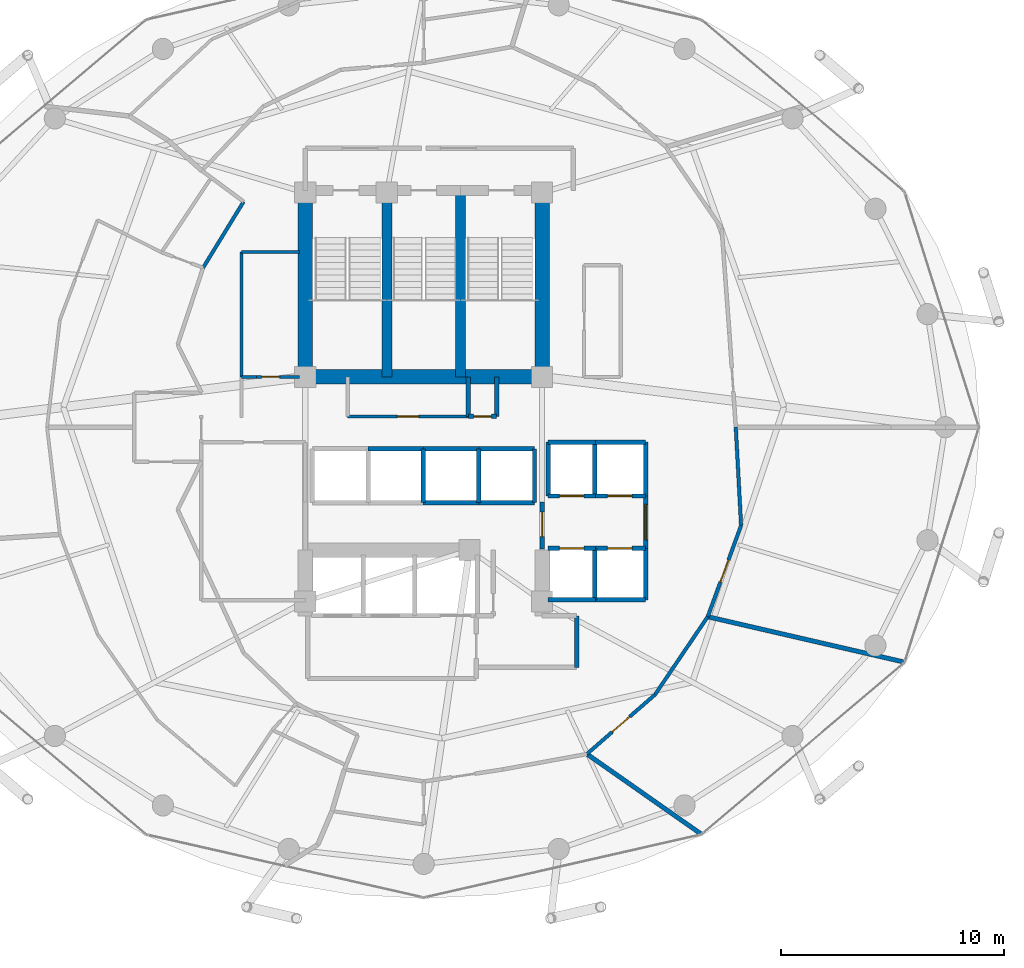
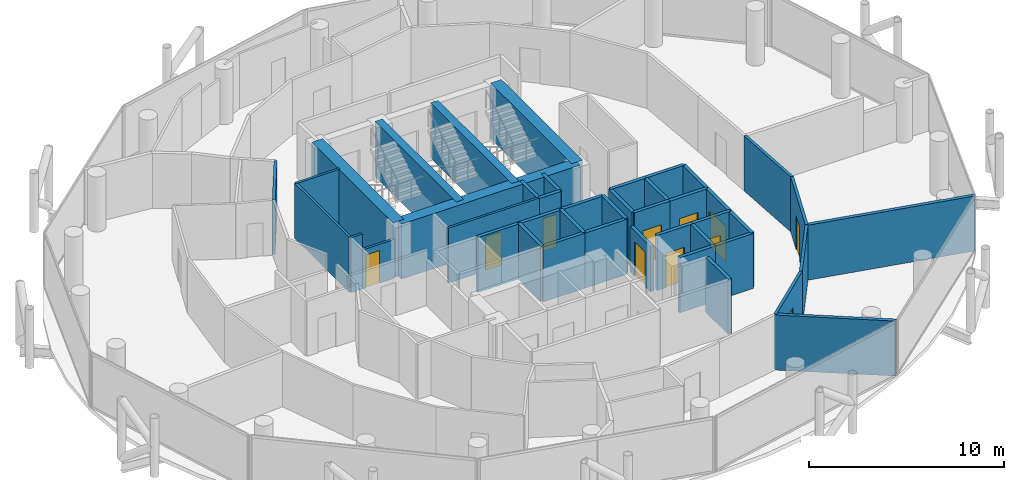
# One storey, part 23 of 26: 44 walls, 11 doors, 11 openings.
"""IFC4 building model written with IfcOpenShell, lengths in metres."""

from ifc_helpers import new_model, si_unit, direction, frame, frame_2d, origin, place, context, subcontext, project, spatial, rectangle, extrude, material, layer, layer_set, type_object, element, fill, save


model = new_model("IFC4")

# Units and contexts
model_context = context("Model", 3, precision=1e-05, world=origin(), true_north=direction((0.0, 1.0)))
body_context = subcontext(model_context, "Body", "Model", "MODEL_VIEW")
ifc_project = project(units=[si_unit("LENGTHUNIT", "METRE"), si_unit("AREAUNIT", "SQUARE_METRE"), si_unit("VOLUMEUNIT", "CUBIC_METRE"), si_unit("PLANEANGLEUNIT", "RADIAN"), si_unit("MASSUNIT", "GRAM", prefix="KILO")], contexts=[model_context])

# Site, building, storey
site_placement = place(None, origin())
site = spatial("IfcSite", under=ifc_project, at=site_placement, CompositionType="ELEMENT")
building_placement = place(site_placement, origin())
building = spatial("IfcBuilding", under=site, at=building_placement, Name="Nuhasar Tower", CompositionType="ELEMENT")
storey_placement = place(building_placement, frame((0.0, 0.0, 155.25)))
storey = spatial("IfcBuildingStorey", under=building, at=storey_placement, Name="L37", CompositionType="ELEMENT", Elevation=155.25)

# Walls
ifc_material_1 = material(Name="Concrete C50/60", Category="concrete")
ifc_layer_1 = layer(ifc_material_1, 0.449951171875)
ifc_layer_set_1 = layer_set([ifc_layer_1], Name="Concrete C50/60")
wall_type_1 = type_object("IfcWallType", Name="WL-CORE-450", PredefinedType="SHEAR", material=ifc_layer_set_1)
for number, where, z_axis, x_axis, name in (
    (1, (37.35009765625, 29.050048828125, 0.0), (0.0, 0.0, 1.0), (0.0, 1.0, 0.0), "L37 Stairwell Shear Wall ST01-E"),
    (2, (40.64990234375, 29.050048828125, 0.0), (0.0, 0.0, 1.0), (0.0, 1.0, 0.0), "L37 Stairwell Shear Wall ST03-E"),
):
    element("IfcWall", number, at=place(storey_placement, frame(where, z_axis=z_axis, x_axis=x_axis)), inside=storey, type_object=wall_type_1, Name=name, PredefinedType="SHEAR", context=body_context, shape_type="SweptSolid", body=[
        extrude(rectangle(XDim=8.349853515625, YDim=0.449951171875, at=frame_2d((4.1748046875, 0.0))), origin(), (0.0, 0.0, 1.0), 3.449951171875),
    ])
ifc_material_2 = material(Name="Concrete C65/80", Category="concrete")
ifc_layer_2 = layer(ifc_material_2, 0.64990234375)
ifc_layer_set_2 = layer_set([ifc_layer_2], Name="Concrete C65/80")
wall_type_2 = type_object("IfcWallType", Name="WL-CORE-650", PredefinedType="SHEAR", material=ifc_layer_set_2)
for number, where, z_axis, x_axis, name in (
    (3, (33.699951171875, 29.050048828125, 0.0), (0.0, 0.0, 1.0), (0.0, 1.0, 0.0), "L37 Core Shear Wall CW-NW CW-650"),
    (4, (44.300048828125, 29.050048828125, 0.0), (0.0, 0.0, 1.0), (0.0, 1.0, 0.0), "L37 Core Shear Wall CW-NE CW-650"),
):
    element("IfcWall", number, at=place(storey_placement, frame(where, z_axis=z_axis, x_axis=x_axis)), inside=storey, type_object=wall_type_2, Name=name, PredefinedType="SHEAR", context=body_context, shape_type="SweptSolid", body=[
        extrude(rectangle(XDim=8.349853515625, YDim=0.64990234375, at=frame_2d((4.1748046875, 0.0))), origin(), (0.0, 0.0, 1.0), 3.449951171875),
    ])
wall_1_placement = place(storey_placement, frame((33.699951171875, 29.050048828125, 0.0), z_axis=(0.0, 0.0, 1.0), x_axis=(1.0, 0.0, 0.0)))
element("IfcWall", 5, at=wall_1_placement, inside=storey, type_object=wall_type_2, Name="L37 Core Shear Wall CW-N1 CW-650", PredefinedType="SHEAR", context=body_context, shape_type="SweptSolid", body=[
    extrude(rectangle(XDim=10.60009765625, YDim=0.64990234375, at=frame_2d((5.300048828125, 0.0))), origin(), (0.0, 0.0, 1.0), 3.449951171875),
])

# Wall, opening, door
ifc_material_3 = material(Name="Gypsum Board", Category="gypsum")
ifc_layer_3 = layer(ifc_material_3, 0.159912109375)
ifc_layer_set_3 = layer_set([ifc_layer_3], Name="Gypsum Board")
wall_type_3 = type_object("IfcWallType", Name="WL-CORR-160", PredefinedType="PARTITIONING", material=ifc_layer_set_3)
wall_2_placement = place(storey_placement, frame((49.35595703125, 14.8291015625, 0.0), z_axis=(0.0, 0.0, 1.0), x_axis=(-0.753648555006, -0.657277609186, 0.0)))
wall_2 = element("IfcWall", 6, at=wall_2_placement, inside=storey, type_object=wall_type_3, Name="L37 Interior Partition CORR-40", PredefinedType="PARTITIONING", context=body_context, shape_type="SweptSolid", body=[
    extrude(rectangle(XDim=4.045654296875, YDim=0.159912109375, at=frame_2d((2.02294921875, 0.0))), origin(), (0.0, 0.0, 1.0), 3.449951171875),
])
opening_1_placement = place(wall_2_placement, frame((1.498046875, 0.0, 0.0)))
opening_1 = element("IfcOpeningElement", 7, at=opening_1_placement, cuts=wall_2, Name="Opening DU-01", PredefinedType="OPENING", context=body_context, shape_type="SweptSolid", body=[
    extrude(rectangle(XDim=1.050048828125, YDim=2.14990234375, at=frame_2d((0.52490234375, 1.074951171875))), frame((0.0, 0.08984375, 0.0), z_axis=(0.0, -1.0, 0.0), x_axis=(1.0, 0.0, 0.0)), (0.0, 0.0, 1.0), 0.179931640625),
])
ifc_material_4 = material(Name="Timber Oak", Category="wood")
door_type_1 = type_object("IfcDoorType", Name="DR-SUITE-FD60-1050", OperationType="NOTDEFINED", PredefinedType="DOOR", material=ifc_material_4)
door_1_placement = place(opening_1_placement, origin())
door_1 = element("IfcDoor", 8, at=door_1_placement, inside=storey, type_object=door_type_1, Name="L37 Longevity Spa Treatment Clinic 1 Entrance Door", OperationType="SINGLE_SWING_LEFT", OverallHeight=2.14990234375, OverallWidth=1.050048828125, PredefinedType="DOOR", context=body_context, shape_type="SweptSolid", body=[
    extrude(rectangle(XDim=1.050048828125, YDim=2.14990234375, at=frame_2d((0.52490234375, 1.074951171875))), frame((0.0, 0.02490234375, 0.0), z_axis=(0.0, -1.0, 0.0), x_axis=(1.0, 0.0, 0.0)), (0.0, 0.0, 1.0), 0.050048828125),
])
fill(opening_1, door_1)

# Wall
wall_3_placement = place(storey_placement, frame((49.35595703125, 14.8291015625, 0.0), z_axis=(0.0, 0.0, 1.0), x_axis=(0.560323414083, 0.828273910992, 0.0)))
element("IfcWall", 9, at=wall_3_placement, inside=storey, type_object=wall_type_3, Name="L37 Interior Partition CORR-42", PredefinedType="PARTITIONING", context=body_context, shape_type="SweptSolid", body=[
    extrude(rectangle(XDim=4.20849609375, YDim=0.159912109375, at=frame_2d((2.104248046875, 0.0))), origin(), (0.0, 0.0, 1.0), 3.449951171875),
])

# Wall, opening, door
wall_4_placement = place(storey_placement, frame((53.2080078125, 22.39892578125, 0.0), z_axis=(0.0, 0.0, 1.0), x_axis=(-0.343532016379, -0.939140965842, 0.0)))
wall_4 = element("IfcWall", 10, at=wall_4_placement, inside=storey, type_object=wall_type_3, Name="L37 Interior Partition CORR-44", PredefinedType="PARTITIONING", context=body_context, shape_type="SweptSolid", body=[
    extrude(rectangle(XDim=4.3486328125, YDim=0.159912109375, at=frame_2d((2.17431640625, 0.0))), origin(), (0.0, 0.0, 1.0), 3.449951171875),
])
opening_2_placement = place(wall_4_placement, frame((1.64892578125, 0.0, 0.0)))
opening_2 = element("IfcOpeningElement", 11, at=opening_2_placement, cuts=wall_4, Name="Opening DU-01", PredefinedType="OPENING", context=body_context, shape_type="SweptSolid", body=[
    extrude(rectangle(XDim=1.050048828125, YDim=2.14990234375, at=frame_2d((0.52490234375, 1.074951171875))), frame((0.0, 0.08984375, 0.0), z_axis=(0.0, -1.0, 0.0), x_axis=(1.0, 0.0, 0.0)), (0.0, 0.0, 1.0), 0.179931640625),
])
door_2_placement = place(opening_2_placement, origin())
door_2 = element("IfcDoor", 12, at=door_2_placement, inside=storey, type_object=door_type_1, Name="L37 Hydrotherapy Consult Clinic 2 Entrance Door", OperationType="SINGLE_SWING_LEFT", OverallHeight=2.14990234375, OverallWidth=1.050048828125, PredefinedType="DOOR", context=body_context, shape_type="SweptSolid", body=[
    extrude(rectangle(XDim=1.050048828125, YDim=2.14990234375, at=frame_2d((0.52490234375, 1.074951171875))), frame((0.0, 0.02490234375, 0.0), z_axis=(0.0, -1.0, 0.0), x_axis=(1.0, 0.0, 0.0)), (0.0, 0.0, 1.0), 0.050048828125),
])
fill(opening_2, door_2)

# Walls
wall_5_placement = place(storey_placement, frame((53.2080078125, 22.39892578125, 0.0), z_axis=(0.0, 0.0, 1.0), x_axis=(-0.054006604754, 0.998540578366, 0.0)))
element("IfcWall", 13, at=wall_5_placement, inside=storey, type_object=wall_type_3, Name="L37 Interior Partition CORR-46", PredefinedType="PARTITIONING", context=body_context, shape_type="SweptSolid", body=[
    extrude(rectangle(XDim=4.407470703125, YDim=0.159912109375, at=frame_2d((2.20361328125, 0.0))), origin(), (0.0, 0.0, 1.0), 3.449951171875),
])
wall_6_placement = place(storey_placement, frame((30.93896484375, 36.89697265625, 0.0), z_axis=(0.0, 0.0, 1.0), x_axis=(-0.522486120877, -0.852647789823, 0.0)))
element("IfcWall", 14, at=wall_6_placement, inside=storey, type_object=wall_type_3, Name="L37 Interior Partition HWEST-CORE-N-18", PredefinedType="PARTITIONING", context=body_context, shape_type="SweptSolid", body=[
    extrude(rectangle(XDim=3.468017578125, YDim=0.159912109375, at=frame_2d((1.73388671875, 0.0))), origin(), (0.0, 0.0, 1.0), 3.449951171875),
])

# Wall, opening, door
ifc_material_5 = material(Name="Concrete C45/55", Category="concrete")
ifc_layer_4 = layer(ifc_material_5, 0.199951171875)
ifc_layer_set_4 = layer_set([ifc_layer_4], Name="Concrete C45/55")
wall_type_4 = type_object("IfcWallType", Name="WL-LOBBY-200", PredefinedType="SOLIDWALL", material=ifc_layer_set_4)
wall_7_placement = place(storey_placement, frame((48.929931640625, 21.3798828125, 0.0), z_axis=(0.0, 0.0, 1.0), x_axis=(0.0, 1.0, 0.0)))
wall_7 = element("IfcWall", 15, at=wall_7_placement, inside=storey, type_object=wall_type_4, Name="L37 Interior Partition LLBM-E", PredefinedType="SOLIDWALL", context=body_context, shape_type="SweptSolid", body=[
    extrude(rectangle(XDim=2.340087890625, YDim=0.199951171875, at=frame_2d((1.169921875, 0.0))), origin(), (0.0, 0.0, 1.0), 3.449951171875),
])
opening_3_placement = place(wall_7_placement, frame((0.3701171875, 0.0, 0.0)))
opening_3 = element("IfcOpeningElement", 16, at=opening_3_placement, cuts=wall_7, Name="Opening DC-01", PredefinedType="OPENING", context=body_context, shape_type="SweptSolid", body=[
    extrude(rectangle(XDim=1.60009765625, YDim=2.199951171875, at=frame_2d((0.800048828125, 1.10009765625))), frame((0.0, 0.10986328125, 0.0), z_axis=(0.0, -1.0, 0.0), x_axis=(1.0, 0.0, 0.0)), (0.0, 0.0, 1.0), 0.219970703125),
])
ifc_material_6 = material(Name="Steel S355", Category="steel")
door_type_2 = type_object("IfcDoorType", Name="DR-CORR-FD60-1600", OperationType="DOUBLE_DOOR_SINGLE_SWING", PredefinedType="DOOR", material=ifc_material_6)
door_3_placement = place(opening_3_placement, origin())
door_3 = element("IfcDoor", 17, at=door_3_placement, inside=storey, type_object=door_type_2, Name="L37 Mid-Rise Lift Lobby East Entry", OperationType="DOUBLE_DOOR_SINGLE_SWING", OverallHeight=2.199951171875, OverallWidth=1.60009765625, PredefinedType="DOOR", context=body_context, shape_type="SweptSolid", body=[
    extrude(rectangle(XDim=1.60009765625, YDim=2.199951171875, at=frame_2d((0.800048828125, 1.10009765625))), frame((0.0, 0.02490234375, 0.0), z_axis=(0.0, -1.0, 0.0), x_axis=(1.0, 0.0, 0.0)), (0.0, 0.0, 1.0), 0.050048828125),
])
fill(opening_3, door_3)

wall_8_placement = place(storey_placement, frame((44.300048828125, 21.35009765625, 0.0), z_axis=(0.0, 0.0, 1.0), x_axis=(0.0, 1.0, 0.0)))
wall_8 = element("IfcWall", 18, at=wall_8_placement, inside=storey, type_object=wall_type_4, Name="L37 Interior Partition LLBH-E", PredefinedType="SOLIDWALL", context=body_context, shape_type="SweptSolid", body=[
    extrude(rectangle(XDim=2.099853515625, YDim=0.199951171875, at=frame_2d((1.0498046875, 0.0))), origin(), (0.0, 0.0, 1.0), 2.8349609375),
])
opening_4_placement = place(wall_8_placement, frame((0.550048828125, 0.0, 0.0)))
opening_4 = element("IfcOpeningElement", 19, at=opening_4_placement, cuts=wall_8, Name="Opening DS-02", PredefinedType="OPENING", context=body_context, shape_type="SweptSolid", body=[
    extrude(rectangle(XDim=1.10009765625, YDim=2.14990234375, at=frame_2d((0.550048828125, 1.074951171875))), frame((0.0, 0.10986328125, 0.0), z_axis=(0.0, -1.0, 0.0), x_axis=(1.0, 0.0, 0.0)), (0.0, 0.0, 1.0), 0.219970703125),
])
door_type_3 = type_object("IfcDoorType", Name="DR-FFL-FD120-1100", OperationType="NOTDEFINED", PredefinedType="DOOR", material=ifc_material_6)
door_4_placement = place(opening_4_placement, origin())
door_4 = element("IfcDoor", 20, at=door_4_placement, inside=storey, type_object=door_type_3, Name="L37 High-Rise Lobby East Door", OperationType="SINGLE_SWING_RIGHT", OverallHeight=2.14990234375, OverallWidth=1.10009765625, PredefinedType="DOOR", context=body_context, shape_type="SweptSolid", body=[
    extrude(rectangle(XDim=1.10009765625, YDim=2.14990234375, at=frame_2d((0.550048828125, 1.074951171875))), frame((0.0, 0.02490234375, 0.0), z_axis=(0.0, -1.0, 0.0), x_axis=(1.0, 0.0, 0.0)), (0.0, 0.0, 1.0), 0.050048828125),
])
fill(opening_4, door_4)

# Walls
wall_9_placement = place(storey_placement, frame((45.85009765625, 16.050048828125, 0.0), z_axis=(0.0, 0.0, 1.0), x_axis=(0.0, 1.0, 0.0)))
element("IfcWall", 21, at=wall_9_placement, inside=storey, type_object=wall_type_4, Name="L37 Interior Partition SVLV-E", PredefinedType="SOLIDWALL", context=body_context, shape_type="SweptSolid", body=[
    extrude(rectangle(XDim=2.300048828125, YDim=0.199951171875, at=frame_2d((1.14990234375, 0.0))), origin(), (0.0, 0.0, 1.0), 3.449951171875),
])
ifc_layer_5 = layer(ifc_material_5, 0.199951171875)
ifc_layer_set_5 = layer_set([ifc_layer_5], Name="Concrete C45/55")
wall_type_5 = type_object("IfcWallType", Name="WL-SHAFT-200", PredefinedType="SOLIDWALL", material=ifc_layer_set_5)
for number, where, z_axis, x_axis, name in (
    (22, (41.0, 27.280029296875, 0.0), (0.0, 0.0, 1.0), (0.0, 1.0, 0.0), "L37 Interior Partition RSRN-W"),
    (23, (42.260009765625, 27.280029296875, 0.0), (0.0, 0.0, 1.0), (0.0, 1.0, 0.0), "L37 Interior Partition RSRN-E"),
):
    element("IfcWall", number, at=place(storey_placement, frame(where, z_axis=z_axis, x_axis=x_axis)), inside=storey, type_object=wall_type_5, Name=name, PredefinedType="SOLIDWALL", context=body_context, shape_type="SweptSolid", body=[
        extrude(rectangle(XDim=1.77001953125, YDim=0.199951171875, at=frame_2d((0.885009765625, 0.0))), origin(), (0.0, 0.0, 1.0), 3.449951171875),
    ])

# Wall, opening, door
wall_10_placement = place(storey_placement, frame((41.0, 27.280029296875, 0.0), z_axis=(0.0, 0.0, 1.0), x_axis=(1.0, 0.0, 0.0)))
wall_10 = element("IfcWall", 24, at=wall_10_placement, inside=storey, type_object=wall_type_5, Name="L37 Interior Partition RSRN-S", PredefinedType="SOLIDWALL", context=body_context, shape_type="SweptSolid", body=[
    extrude(rectangle(XDim=1.260009765625, YDim=0.199951171875, at=frame_2d((0.6298828125, 0.0))), origin(), (0.0, 0.0, 1.0), 3.449951171875),
])
opening_5_placement = place(wall_10_placement, frame((0.22998046875, 0.0, 0.0)))
opening_5 = element("IfcOpeningElement", 25, at=opening_5_placement, cuts=wall_10, Name="Opening DM-01", PredefinedType="OPENING", context=body_context, shape_type="SweptSolid", body=[
    extrude(rectangle(XDim=0.800048828125, YDim=2.050048828125, at=frame_2d((0.39990234375, 1.02490234375))), frame((0.0, 0.10986328125, 0.0), z_axis=(0.0, -1.0, 0.0), x_axis=(1.0, 0.0, 0.0)), (0.0, 0.0, 1.0), 0.219970703125),
])
door_type_4 = type_object("IfcDoorType", Name="DR-RISER-FD60-800", OperationType="NOTDEFINED", PredefinedType="DOOR", material=ifc_material_6)
door_5_placement = place(opening_5_placement, origin())
door_5 = element("IfcDoor", 26, at=door_5_placement, inside=storey, type_object=door_type_4, Name="L37 North Smoke Riser Door", OperationType="SINGLE_SWING_RIGHT", OverallHeight=2.050048828125, OverallWidth=0.800048828125, PredefinedType="DOOR", context=body_context, shape_type="SweptSolid", body=[
    extrude(rectangle(XDim=0.800048828125, YDim=2.050048828125, at=frame_2d((0.39990234375, 1.02490234375))), frame((0.0, 0.02490234375, 0.0), z_axis=(0.0, -1.0, 0.0), x_axis=(1.0, 0.0, 0.0)), (0.0, 0.0, 1.0), 0.050048828125),
])
fill(opening_5, door_5)

wall_11_placement = place(storey_placement, frame((44.570068359375, 23.719970703125, 0.0), z_axis=(0.0, 0.0, 1.0), x_axis=(1.0, 0.0, 0.0)))
wall_11 = element("IfcWall", 27, at=wall_11_placement, inside=storey, type_object=wall_type_5, Name="L37 Interior Partition SHF-PL-M01-S", PredefinedType="SOLIDWALL", context=body_context, shape_type="SweptSolid", body=[
    extrude(rectangle(XDim=2.10986328125, YDim=0.199951171875, at=frame_2d((1.054931640625, 0.0))), origin(), (0.0, 0.0, 1.0), 3.449951171875),
])
opening_6_placement = place(wall_11_placement, frame((0.5048828125, 0.0, 0.0)))
opening_6 = element("IfcOpeningElement", 28, at=opening_6_placement, cuts=wall_11, Name="Opening LD-M01", PredefinedType="OPENING", context=body_context, shape_type="SweptSolid", body=[
    extrude(rectangle(XDim=1.10009765625, YDim=2.14990234375, at=frame_2d((0.550048828125, 1.074951171875))), frame((0.0, 0.10986328125, 0.0), z_axis=(0.0, -1.0, 0.0), x_axis=(1.0, 0.0, 0.0)), (0.0, 0.0, 1.0), 0.219970703125),
])
ifc_material_7 = material(Name="Stainless Steel 316L", Category="steel")
door_type_5 = type_object("IfcDoorType", Name="LD-PAX-1100", OperationType="DOUBLE_DOOR_SLIDING", PredefinedType="DOOR", material=ifc_material_7)
door_6_placement = place(opening_6_placement, origin())
door_6 = element("IfcDoor", 29, at=door_6_placement, inside=storey, type_object=door_type_5, Name="L37 Lift Landing Door PL-M01", OperationType="DOUBLE_DOOR_SLIDING", OverallHeight=2.14990234375, OverallWidth=1.10009765625, PredefinedType="DOOR", context=body_context, shape_type="SweptSolid", body=[
    extrude(rectangle(XDim=1.10009765625, YDim=2.14990234375, at=frame_2d((0.550048828125, 1.074951171875))), frame((0.0, 0.02490234375, 0.0), z_axis=(0.0, -1.0, 0.0), x_axis=(1.0, 0.0, 0.0)), (0.0, 0.0, 1.0), 0.050048828125),
])
fill(opening_6, door_6)

# Walls
wall_12_placement = place(storey_placement, frame((44.570068359375, 26.1298828125, 0.0), z_axis=(0.0, 0.0, 1.0), x_axis=(1.0, 0.0, 0.0)))
element("IfcWall", 30, at=wall_12_placement, inside=storey, type_object=wall_type_5, Name="L37 Interior Partition SHF-PL-M01-N", PredefinedType="SOLIDWALL", context=body_context, shape_type="SweptSolid", body=[
    extrude(rectangle(XDim=2.10986328125, YDim=0.199951171875, at=frame_2d((1.054931640625, 0.0))), origin(), (0.0, 0.0, 1.0), 3.449951171875),
])
for number, where, z_axis, x_axis, name in (
    (31, (44.570068359375, 23.719970703125, 0.0), (0.0, 0.0, 1.0), (0.0, 1.0, 0.0), "L37 Interior Partition SHF-PL-M01-W"),
    (32, (46.64990234375, 23.719970703125, 0.0), (0.0, 0.0, 1.0), (0.0, 1.0, 0.0), "L37 Interior Partition SHF-PL-M01-E"),
):
    element("IfcWall", number, at=place(storey_placement, frame(where, z_axis=z_axis, x_axis=x_axis)), inside=storey, type_object=wall_type_5, Name=name, PredefinedType="SOLIDWALL", context=body_context, shape_type="SweptSolid", body=[
        extrude(rectangle(XDim=2.409912109375, YDim=0.199951171875, at=frame_2d((1.205078125, 0.0))), origin(), (0.0, 0.0, 1.0), 3.449951171875),
    ])

# Wall, opening, door
wall_13_placement = place(storey_placement, frame((46.6201171875, 23.719970703125, 0.0), z_axis=(0.0, 0.0, 1.0), x_axis=(1.0, 0.0, 0.0)))
wall_13 = element("IfcWall", 33, at=wall_13_placement, inside=storey, type_object=wall_type_5, Name="L37 Interior Partition SHF-PL-M02-S", PredefinedType="SOLIDWALL", context=body_context, shape_type="SweptSolid", body=[
    extrude(rectangle(XDim=2.309814453125, YDim=0.199951171875, at=frame_2d((1.15478515625, 0.0))), origin(), (0.0, 0.0, 1.0), 3.449951171875),
])
opening_7_placement = place(wall_13_placement, frame((0.60498046875, 0.0, 0.0)))
opening_7 = element("IfcOpeningElement", 34, at=opening_7_placement, cuts=wall_13, Name="Opening LD-M02", PredefinedType="OPENING", context=body_context, shape_type="SweptSolid", body=[
    extrude(rectangle(XDim=1.10009765625, YDim=2.14990234375, at=frame_2d((0.550048828125, 1.074951171875))), frame((0.0, 0.10986328125, 0.0), z_axis=(0.0, -1.0, 0.0), x_axis=(1.0, 0.0, 0.0)), (0.0, 0.0, 1.0), 0.219970703125),
])
door_7_placement = place(opening_7_placement, origin())
door_7 = element("IfcDoor", 35, at=door_7_placement, inside=storey, type_object=door_type_5, Name="L37 Lift Landing Door PL-M02", OperationType="DOUBLE_DOOR_SLIDING", OverallHeight=2.14990234375, OverallWidth=1.10009765625, PredefinedType="DOOR", context=body_context, shape_type="SweptSolid", body=[
    extrude(rectangle(XDim=1.10009765625, YDim=2.14990234375, at=frame_2d((0.550048828125, 1.074951171875))), frame((0.0, 0.02490234375, 0.0), z_axis=(0.0, -1.0, 0.0), x_axis=(1.0, 0.0, 0.0)), (0.0, 0.0, 1.0), 0.050048828125),
])
fill(opening_7, door_7)

# Walls
wall_14_placement = place(storey_placement, frame((46.6201171875, 26.1298828125, 0.0), z_axis=(0.0, 0.0, 1.0), x_axis=(1.0, 0.0, 0.0)))
element("IfcWall", 36, at=wall_14_placement, inside=storey, type_object=wall_type_5, Name="L37 Interior Partition SHF-PL-M02-N", PredefinedType="SOLIDWALL", context=body_context, shape_type="SweptSolid", body=[
    extrude(rectangle(XDim=2.309814453125, YDim=0.199951171875, at=frame_2d((1.15478515625, 0.0))), origin(), (0.0, 0.0, 1.0), 3.449951171875),
])
wall_15_placement = place(storey_placement, frame((48.929931640625, 23.719970703125, 0.0), z_axis=(0.0, 0.0, 1.0), x_axis=(0.0, 1.0, 0.0)))
element("IfcWall", 37, at=wall_15_placement, inside=storey, type_object=wall_type_5, Name="L37 Interior Partition SHF-PL-M02-E", PredefinedType="SOLIDWALL", context=body_context, shape_type="SweptSolid", body=[
    extrude(rectangle(XDim=2.409912109375, YDim=0.199951171875, at=frame_2d((1.205078125, 0.0))), origin(), (0.0, 0.0, 1.0), 3.449951171875),
])
wall_16_placement = place(storey_placement, frame((44.570068359375, 19.070068359375, 0.0), z_axis=(0.0, 0.0, 1.0), x_axis=(1.0, 0.0, 0.0)))
element("IfcWall", 38, at=wall_16_placement, inside=storey, type_object=wall_type_5, Name="L37 Interior Partition SHF-PL-M03-S", PredefinedType="SOLIDWALL", context=body_context, shape_type="SweptSolid", body=[
    extrude(rectangle(XDim=2.10986328125, YDim=0.199951171875, at=frame_2d((1.054931640625, 0.0))), origin(), (0.0, 0.0, 1.0), 3.449951171875),
])

# Wall, opening, door
wall_17_placement = place(storey_placement, frame((44.570068359375, 21.3798828125, 0.0), z_axis=(0.0, 0.0, 1.0), x_axis=(1.0, 0.0, 0.0)))
wall_17 = element("IfcWall", 39, at=wall_17_placement, inside=storey, type_object=wall_type_5, Name="L37 Interior Partition SHF-PL-M03-N", PredefinedType="SOLIDWALL", context=body_context, shape_type="SweptSolid", body=[
    extrude(rectangle(XDim=2.10986328125, YDim=0.199951171875, at=frame_2d((1.054931640625, 0.0))), origin(), (0.0, 0.0, 1.0), 3.449951171875),
])
opening_8_placement = place(wall_17_placement, frame((0.5048828125, 0.0, 0.0)))
opening_8 = element("IfcOpeningElement", 40, at=opening_8_placement, cuts=wall_17, Name="Opening LD-M03", PredefinedType="OPENING", context=body_context, shape_type="SweptSolid", body=[
    extrude(rectangle(XDim=1.10009765625, YDim=2.14990234375, at=frame_2d((0.550048828125, 1.074951171875))), frame((0.0, 0.10986328125, 0.0), z_axis=(0.0, -1.0, 0.0), x_axis=(1.0, 0.0, 0.0)), (0.0, 0.0, 1.0), 0.219970703125),
])
door_8_placement = place(opening_8_placement, origin())
door_8 = element("IfcDoor", 41, at=door_8_placement, inside=storey, type_object=door_type_5, Name="L37 Lift Landing Door PL-M03", OperationType="DOUBLE_DOOR_SLIDING", OverallHeight=2.14990234375, OverallWidth=1.10009765625, PredefinedType="DOOR", context=body_context, shape_type="SweptSolid", body=[
    extrude(rectangle(XDim=1.10009765625, YDim=2.14990234375, at=frame_2d((0.550048828125, 1.074951171875))), frame((0.0, 0.02490234375, 0.0), z_axis=(0.0, -1.0, 0.0), x_axis=(1.0, 0.0, 0.0)), (0.0, 0.0, 1.0), 0.050048828125),
])
fill(opening_8, door_8)

# Walls
for number, where, z_axis, x_axis, name in (
    (42, (46.64990234375, 19.070068359375, 0.0), (0.0, 0.0, 1.0), (0.0, 1.0, 0.0), "L37 Interior Partition SHF-PL-M03-E"),
    (43, (46.6201171875, 19.070068359375, 0.0), (0.0, 0.0, 1.0), (1.0, 0.0, 0.0), "L37 Interior Partition SHF-PL-M04-S"),
):
    element("IfcWall", number, at=place(storey_placement, frame(where, z_axis=z_axis, x_axis=x_axis)), inside=storey, type_object=wall_type_5, Name=name, PredefinedType="SOLIDWALL", context=body_context, shape_type="SweptSolid", body=[
        extrude(rectangle(XDim=2.309814453125, YDim=0.199951171875, at=frame_2d((1.15478515625, 0.0))), origin(), (0.0, 0.0, 1.0), 3.449951171875),
    ])

# Wall, opening, door
wall_18_placement = place(storey_placement, frame((46.6201171875, 21.3798828125, 0.0), z_axis=(0.0, 0.0, 1.0), x_axis=(1.0, 0.0, 0.0)))
wall_18 = element("IfcWall", 44, at=wall_18_placement, inside=storey, type_object=wall_type_5, Name="L37 Interior Partition SHF-PL-M04-N", PredefinedType="SOLIDWALL", context=body_context, shape_type="SweptSolid", body=[
    extrude(rectangle(XDim=2.309814453125, YDim=0.199951171875, at=frame_2d((1.15478515625, 0.0))), origin(), (0.0, 0.0, 1.0), 3.449951171875),
])
opening_9_placement = place(wall_18_placement, frame((0.60498046875, 0.0, 0.0)))
opening_9 = element("IfcOpeningElement", 45, at=opening_9_placement, cuts=wall_18, Name="Opening LD-M04", PredefinedType="OPENING", context=body_context, shape_type="SweptSolid", body=[
    extrude(rectangle(XDim=1.10009765625, YDim=2.14990234375, at=frame_2d((0.550048828125, 1.074951171875))), frame((0.0, 0.10986328125, 0.0), z_axis=(0.0, -1.0, 0.0), x_axis=(1.0, 0.0, 0.0)), (0.0, 0.0, 1.0), 0.219970703125),
])
door_9_placement = place(opening_9_placement, origin())
door_9 = element("IfcDoor", 46, at=door_9_placement, inside=storey, type_object=door_type_5, Name="L37 Lift Landing Door PL-M04", OperationType="DOUBLE_DOOR_SLIDING", OverallHeight=2.14990234375, OverallWidth=1.10009765625, PredefinedType="DOOR", context=body_context, shape_type="SweptSolid", body=[
    extrude(rectangle(XDim=1.10009765625, YDim=2.14990234375, at=frame_2d((0.550048828125, 1.074951171875))), frame((0.0, 0.02490234375, 0.0), z_axis=(0.0, -1.0, 0.0), x_axis=(1.0, 0.0, 0.0)), (0.0, 0.0, 1.0), 0.050048828125),
])
fill(opening_9, door_9)

# Walls
wall_19_placement = place(storey_placement, frame((48.929931640625, 19.070068359375, 0.0), z_axis=(0.0, 0.0, 1.0), x_axis=(0.0, 1.0, 0.0)))
element("IfcWall", 47, at=wall_19_placement, inside=storey, type_object=wall_type_5, Name="L37 Interior Partition SHF-PL-M04-E", PredefinedType="SOLIDWALL", context=body_context, shape_type="SweptSolid", body=[
    extrude(rectangle(XDim=2.309814453125, YDim=0.199951171875, at=frame_2d((1.15478515625, 0.0))), origin(), (0.0, 0.0, 1.0), 3.449951171875),
])
wall_20_placement = place(storey_placement, frame((36.5, 25.830078125, 0.0), z_axis=(0.0, 0.0, 1.0), x_axis=(1.0, 0.0, 0.0)))
element("IfcWall", 48, at=wall_20_placement, inside=storey, type_object=wall_type_5, Name="L37 Interior Partition SHF-PL-H02-N", PredefinedType="SOLIDWALL", context=body_context, shape_type="SweptSolid", body=[
    extrude(rectangle(XDim=2.5, YDim=0.199951171875, at=frame_2d((1.25, 0.0))), origin(), (0.0, 0.0, 1.0), 3.449951171875),
])
wall_21_placement = place(storey_placement, frame((38.989990234375, 23.419921875, 0.0), z_axis=(0.0, 0.0, 1.0), x_axis=(0.0, 1.0, 0.0)))
element("IfcWall", 49, at=wall_21_placement, inside=storey, type_object=wall_type_5, Name="L37 Interior Partition SHF-PL-H02-E", PredefinedType="SOLIDWALL", context=body_context, shape_type="SweptSolid", body=[
    extrude(rectangle(XDim=2.41015625, YDim=0.199951171875, at=frame_2d((1.205078125, 0.0))), origin(), (0.0, 0.0, 1.0), 3.449951171875),
])
for number, where, z_axis, x_axis, name in (
    (50, (38.97998046875, 23.419921875, 0.0), (0.0, 0.0, 1.0), (1.0, 0.0, 0.0), "L37 Interior Partition SHF-PL-H03-S"),
    (51, (38.97998046875, 25.830078125, 0.0), (0.0, 0.0, 1.0), (1.0, 0.0, 0.0), "L37 Interior Partition SHF-PL-H03-N"),
):
    element("IfcWall", number, at=place(storey_placement, frame(where, z_axis=z_axis, x_axis=x_axis)), inside=storey, type_object=wall_type_5, Name=name, PredefinedType="SOLIDWALL", context=body_context, shape_type="SweptSolid", body=[
        extrude(rectangle(XDim=2.5, YDim=0.199951171875, at=frame_2d((1.25, 0.0))), origin(), (0.0, 0.0, 1.0), 3.449951171875),
    ])
wall_22_placement = place(storey_placement, frame((41.469970703125, 23.419921875, 0.0), z_axis=(0.0, 0.0, 1.0), x_axis=(0.0, 1.0, 0.0)))
element("IfcWall", 52, at=wall_22_placement, inside=storey, type_object=wall_type_5, Name="L37 Interior Partition SHF-PL-H03-E", PredefinedType="SOLIDWALL", context=body_context, shape_type="SweptSolid", body=[
    extrude(rectangle(XDim=2.41015625, YDim=0.199951171875, at=frame_2d((1.205078125, 0.0))), origin(), (0.0, 0.0, 1.0), 3.449951171875),
])
for number, where, z_axis, x_axis, name in (
    (53, (41.4599609375, 23.419921875, 0.0), (0.0, 0.0, 1.0), (1.0, 0.0, 0.0), "L37 Interior Partition SHF-PL-H04-S"),
    (54, (41.4599609375, 25.830078125, 0.0), (0.0, 0.0, 1.0), (1.0, 0.0, 0.0), "L37 Interior Partition SHF-PL-H04-N"),
):
    element("IfcWall", number, at=place(storey_placement, frame(where, z_axis=z_axis, x_axis=x_axis)), inside=storey, type_object=wall_type_5, Name=name, PredefinedType="SOLIDWALL", context=body_context, shape_type="SweptSolid", body=[
        extrude(rectangle(XDim=2.5, YDim=0.199951171875, at=frame_2d((1.25, 0.0))), origin(), (0.0, 0.0, 1.0), 3.449951171875),
    ])
wall_23_placement = place(storey_placement, frame((43.9599609375, 23.419921875, 0.0), z_axis=(0.0, 0.0, 1.0), x_axis=(0.0, 1.0, 0.0)))
element("IfcWall", 55, at=wall_23_placement, inside=storey, type_object=wall_type_5, Name="L37 Interior Partition SHF-PL-H04-E", PredefinedType="SOLIDWALL", context=body_context, shape_type="SweptSolid", body=[
    extrude(rectangle(XDim=2.41015625, YDim=0.199951171875, at=frame_2d((1.205078125, 0.0))), origin(), (0.0, 0.0, 1.0), 3.449951171875),
])
ifc_material_8 = material(Name="Concrete C40/50 precast", Category="concrete")
ifc_layer_6 = layer(ifc_material_8, 0.199951171875)
ifc_layer_set_6 = layer_set([ifc_layer_6], Name="Concrete C40/50 precast")
wall_type_6 = type_object("IfcWallType", Name="WL-UNIT-200", PredefinedType="PARTITIONING", material=ifc_layer_set_6)
wall_24_placement = place(storey_placement, frame((46.306884765625, 12.169921875, 0.0), z_axis=(0.0, 0.0, 1.0), x_axis=(0.81896509242, -0.573843338724, 0.0)))
element("IfcWall", 56, at=wall_24_placement, inside=storey, type_object=wall_type_6, Name="L37 Interior Partition HRAD-40", PredefinedType="PARTITIONING", context=body_context, shape_type="SweptSolid", body=[
    extrude(rectangle(XDim=6.23486328125, YDim=0.199951171875, at=frame_2d((3.117431640625, 0.0))), origin(), (0.0, 0.0, 1.0), 3.449951171875),
])
wall_25_placement = place(storey_placement, frame((51.714111328125, 18.31494140625, 0.0), z_axis=(0.0, 0.0, 1.0), x_axis=(0.974377958843, -0.224916858687, 0.0)))
element("IfcWall", 57, at=wall_25_placement, inside=storey, type_object=wall_type_6, Name="L37 Interior Partition HRAD-44", PredefinedType="PARTITIONING", context=body_context, shape_type="SweptSolid", body=[
    extrude(rectangle(XDim=9.015869140625, YDim=0.199951171875, at=frame_2d((4.5078125, 0.0))), origin(), (0.0, 0.0, 1.0), 3.449951171875),
])

# Wall, opening, door
ifc_layer_7 = layer(ifc_material_8, 0.139892578125)
ifc_layer_set_7 = layer_set([ifc_layer_7], Name="Concrete C40/50 precast")
wall_type_7 = type_object("IfcWallType", Name="WL-WET-140", PredefinedType="PARTITIONING", material=ifc_layer_set_7)
wall_26_placement = place(storey_placement, frame((35.60009765625, 27.280029296875, 0.0), z_axis=(0.0, 0.0, 1.0), x_axis=(1.0, 0.0, 0.0)))
wall_26 = element("IfcWall", 58, at=wall_26_placement, inside=storey, type_object=wall_type_7, Name="L37 Interior Partition CSVC-S", PredefinedType="PARTITIONING", context=body_context, shape_type="SweptSolid", body=[
    extrude(rectangle(XDim=5.39990234375, YDim=0.139892578125, at=frame_2d((2.699951171875, 0.0))), origin(), (0.0, 0.0, 1.0), 3.449951171875),
])
opening_10_placement = place(wall_26_placement, frame((2.22509765625, 0.0, 0.0)))
opening_10 = element("IfcOpeningElement", 59, at=opening_10_placement, cuts=wall_26, Name="Opening DA-01", PredefinedType="OPENING", context=body_context, shape_type="SweptSolid", body=[
    extrude(rectangle(XDim=0.949951171875, YDim=2.10009765625, at=frame_2d((0.47509765625, 1.050048828125))), frame((0.0, 0.080078125, 0.0), z_axis=(0.0, -1.0, 0.0), x_axis=(1.0, 0.0, 0.0)), (0.0, 0.0, 1.0), 0.159912109375),
])
door_type_6 = type_object("IfcDoorType", Name="DR-ACCWC-950", OperationType="NOTDEFINED", PredefinedType="DOOR", material=ifc_material_4)
door_10_placement = place(opening_10_placement, origin())
door_10 = element("IfcDoor", 60, at=door_10_placement, inside=storey, type_object=door_type_6, Name="L37 Core Accessible Restroom Door", OperationType="SINGLE_SWING_LEFT", OverallHeight=2.10009765625, OverallWidth=0.949951171875, PredefinedType="DOOR", context=body_context, shape_type="SweptSolid", body=[
    extrude(rectangle(XDim=0.949951171875, YDim=2.10009765625, at=frame_2d((0.47509765625, 1.050048828125))), frame((0.0, 0.02490234375, 0.0), z_axis=(0.0, -1.0, 0.0), x_axis=(1.0, 0.0, 0.0)), (0.0, 0.0, 1.0), 0.050048828125),
])
fill(opening_10, door_10)

# Wall
wall_27_placement = place(storey_placement, frame((30.85009765625, 29.050048828125, 0.0), z_axis=(0.0, 0.0, 1.0), x_axis=(1.0, 0.0, 0.0)))
element("IfcWall", 61, at=wall_27_placement, inside=storey, type_object=wall_type_7, Name="L37 Interior Partition K3-NW-S", PredefinedType="PARTITIONING", context=body_context, shape_type="SweptSolid", body=[
    extrude(rectangle(XDim=0.66796875, YDim=0.139892578125, at=frame_2d((0.333984375, 0.0))), origin(), (0.0, 0.0, 1.0), 3.449951171875),
])

# Wall, opening, door
wall_28_placement = place(storey_placement, frame((31.51806640625, 29.050048828125, 0.0), z_axis=(0.0, 0.0, 1.0), x_axis=(1.0, 0.0, 0.0)))
wall_28 = element("IfcWall", 62, at=wall_28_placement, inside=storey, type_object=wall_type_7, Name="L37 Interior Partition K3-NW-S", PredefinedType="PARTITIONING", context=body_context, shape_type="SweptSolid", body=[
    extrude(rectangle(XDim=1.931884765625, YDim=0.139892578125, at=frame_2d((0.9658203125, 0.0))), origin(), (0.0, 0.0, 1.0), 2.43994140625),
])
opening_11_placement = place(wall_28_placement, frame((0.23193359375, 0.0, 0.0)))
opening_11 = element("IfcOpeningElement", 63, at=opening_11_placement, cuts=wall_28, Name="Opening DM-01", PredefinedType="OPENING", context=body_context, shape_type="SweptSolid", body=[
    extrude(rectangle(XDim=0.800048828125, YDim=2.050048828125, at=frame_2d((0.39990234375, 1.02490234375))), frame((0.0, 0.080078125, 0.0), z_axis=(0.0, -1.0, 0.0), x_axis=(1.0, 0.0, 0.0)), (0.0, 0.0, 1.0), 0.159912109375),
])
door_11_placement = place(opening_11_placement, origin())
door_11 = element("IfcDoor", 64, at=door_11_placement, inside=storey, type_object=door_type_4, Name="L37 NW Electrical Room Door", OperationType="SINGLE_SWING_LEFT", OverallHeight=2.050048828125, OverallWidth=0.800048828125, PredefinedType="DOOR", context=body_context, shape_type="SweptSolid", body=[
    extrude(rectangle(XDim=0.800048828125, YDim=2.050048828125, at=frame_2d((0.39990234375, 1.02490234375))), frame((0.0, 0.02490234375, 0.0), z_axis=(0.0, -1.0, 0.0), x_axis=(1.0, 0.0, 0.0)), (0.0, 0.0, 1.0), 0.050048828125),
])
fill(opening_11, door_11)

# Walls
wall_29_placement = place(storey_placement, frame((30.85009765625, 34.64990234375, 0.0), z_axis=(0.0, 0.0, 1.0), x_axis=(1.0, 0.0, 0.0)))
element("IfcWall", 65, at=wall_29_placement, inside=storey, type_object=wall_type_7, Name="L37 Interior Partition K3-NW-N", PredefinedType="PARTITIONING", context=body_context, shape_type="SweptSolid", body=[
    extrude(rectangle(XDim=2.599853515625, YDim=0.139892578125, at=frame_2d((1.2998046875, 0.0))), origin(), (0.0, 0.0, 1.0), 3.449951171875),
])
wall_30_placement = place(storey_placement, frame((30.85009765625, 29.050048828125, 0.0), z_axis=(0.0, 0.0, 1.0), x_axis=(0.0, 1.0, 0.0)))
element("IfcWall", 66, at=wall_30_placement, inside=storey, type_object=wall_type_7, Name="L37 Interior Partition K3-NW-W", PredefinedType="PARTITIONING", context=body_context, shape_type="SweptSolid", body=[
    extrude(rectangle(XDim=5.599853515625, YDim=0.139892578125, at=frame_2d((2.7998046875, 0.0))), origin(), (0.0, 0.0, 1.0), 3.449951171875),
])

save(model, "model.ifc")
